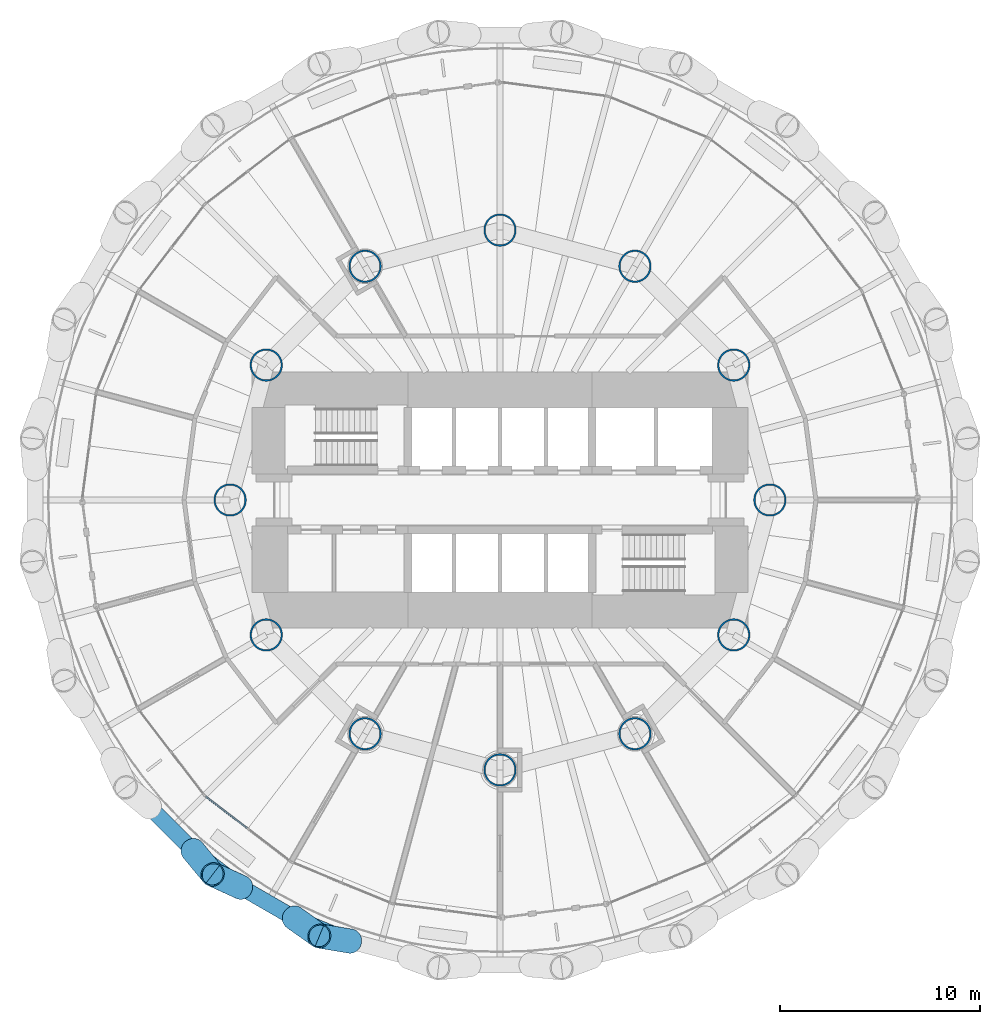
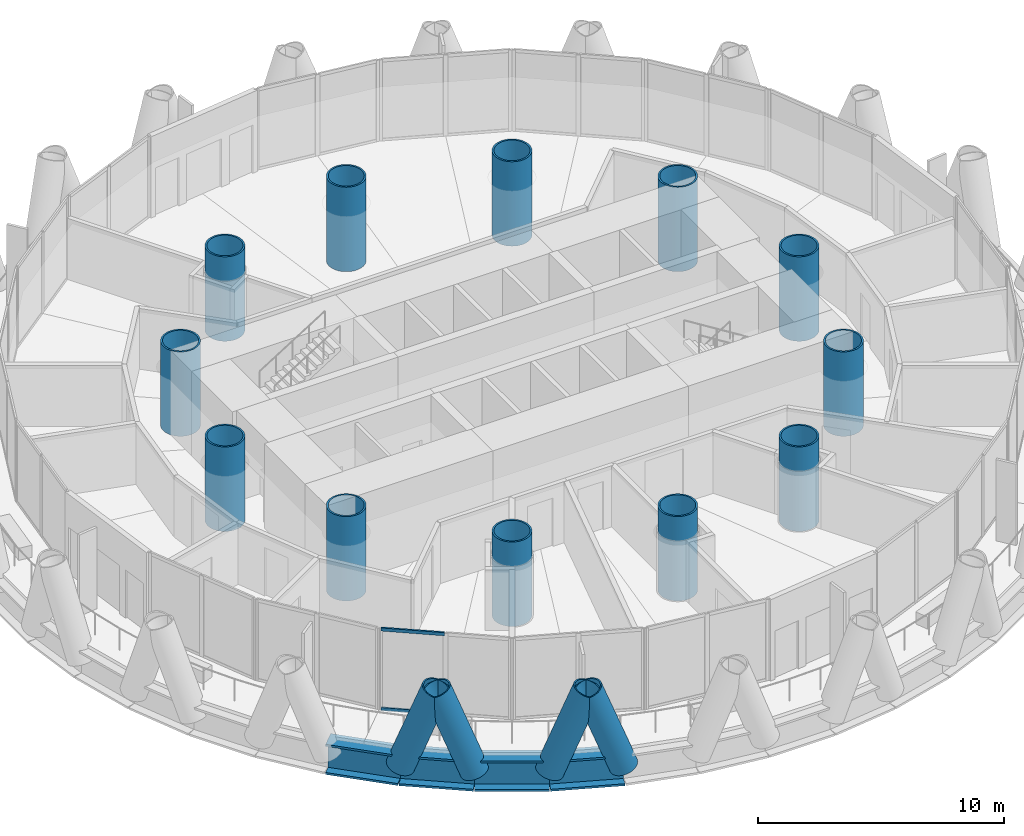
# One storey, part 1 of 15: 12 columns, 6 members, 4 beams, 1 element without a shape of its own.
"""IFC4 building model written with IfcOpenShell, lengths in metres."""

import ifcopenshell
import ifcopenshell.guid

model = None  # the IFC model being written
_history = None  # IfcOwnerHistory: only IFC2X3 demands one
_inside = {}  # id of a spatial element -> (the spatial element, [elements in it])
_under = {}  # id of a project, library or spatial element -> (it, [spatial elements below it])
_declared = {}  # id of a project -> (the project, [libraries it declares])
_typed = {}  # id of a type object -> (the type object, [elements of that type])
_made_of = {}  # id of a material, layer set ... -> (it, [elements and type objects made of it])


def new_model(schema):
    """Start an empty IFC model of exactly this schema.

    Asked for "IFC4X3", IfcOpenShell would pick the latest addendum, in which some entities
    have other attributes; the version numbers below select the first issue.
    IFC2X3 requires an IfcOwnerHistory on every rooted entity: one is made here for all.
    """
    global model, _history
    if schema == "IFC4X3":
        model = ifcopenshell.file(schema_version=(4, 3, 0, 0))
    else:
        model = ifcopenshell.file(schema=schema)
    _inside.clear()
    _under.clear()
    _declared.clear()
    _typed.clear()
    _made_of.clear()
    _history = None
    if model.schema == "IFC2X3":
        org = make("IfcOrganization", Name="unknown")
        user = make(
            "IfcPersonAndOrganization",
            ThePerson=make("IfcPerson", FamilyName="unknown"),
            TheOrganization=org,
        )
        app = make(
            "IfcApplication",
            ApplicationDeveloper=org,
            Version="unknown",
            ApplicationFullName="unknown",
            ApplicationIdentifier="unknown",
        )
        _history = make(
            "IfcOwnerHistory",
            OwningUser=user,
            OwningApplication=app,
            ChangeAction="ADDED",
            CreationDate=0,
        )
    return model


def make(cls, **values):
    """One entity of the class cls with the attributes given. An attribute that is None is left unset."""
    return model.create_entity(
        cls, **{name: value for name, value in values.items() if value is not None}
    )


def rooted(cls, **values):
    """An entity with a GlobalId (a new one), such as an element, a storey or a relation."""
    return make(cls, GlobalId=ifcopenshell.guid.new(), OwnerHistory=_history, **values)


def si_unit(unit_type, name, prefix=None):
    """IfcSIUnit, for example si_unit("LENGTHUNIT", "METRE", prefix="MILLI")."""
    return make("IfcSIUnit", UnitType=unit_type, Prefix=prefix, Name=name)


def assignment(units):
    """IfcUnitAssignment: the units of a project."""
    return None if units is None else make("IfcUnitAssignment", Units=units)


def point(xyz):
    """IfcCartesianPoint."""
    return None if xyz is None else make("IfcCartesianPoint", Coordinates=xyz)


def direction(xyz):
    """IfcDirection."""
    return None if xyz is None else make("IfcDirection", DirectionRatios=xyz)


def frame(location, z_axis=None, x_axis=None):
    """IfcAxis2Placement3D, a coordinate frame: its origin and axes. An axis left out is left unset."""
    return make(
        "IfcAxis2Placement3D",
        Location=point(location),
        Axis=direction(z_axis),
        RefDirection=direction(x_axis),
    )


def frame_2d(location, x_axis=None):
    """IfcAxis2Placement2D, a coordinate frame in the plane: its origin and x axis."""
    return make(
        "IfcAxis2Placement2D", Location=point(location), RefDirection=direction(x_axis)
    )


def origin():
    """The frame at (0, 0, 0) with its axes left unset."""
    return frame((0.0, 0.0, 0.0))


def origin_2d():
    """The frame at (0, 0) in the plane with its x axis left unset."""
    return frame_2d((0.0, 0.0))


def place(relative_to, where):
    """IfcLocalPlacement: puts the frame where relative to a parent placement (None: the world)."""
    return make(
        "IfcLocalPlacement", PlacementRelTo=relative_to, RelativePlacement=where
    )


def context(
    kind, dimensions, precision=None, world=None, true_north=None, identifier=None
):
    """IfcGeometricRepresentationContext, for example the 3D "Model" context."""
    return make(
        "IfcGeometricRepresentationContext",
        ContextIdentifier=identifier,
        ContextType=kind,
        CoordinateSpaceDimension=dimensions,
        Precision=precision,
        WorldCoordinateSystem=world,
        TrueNorth=true_north,
    )


def subcontext(parent, identifier, kind, view, scale=None):
    """IfcGeometricRepresentationSubContext, for example "Body" below "Model"."""
    return make(
        "IfcGeometricRepresentationSubContext",
        ContextIdentifier=identifier,
        ContextType=kind,
        ParentContext=parent,
        TargetScale=scale,
        TargetView=view,
    )


def project(units=None, contexts=None):
    """IfcProject with its units and contexts."""
    return rooted(
        "IfcProject",
        Name="project",
        RepresentationContexts=contexts,
        UnitsInContext=assignment(units),
    )


def spatial(cls, under=None, at=None, **own):
    """A site, building, storey or space (cls), placed at a placement, below another one or the project."""
    s = rooted(cls, ObjectPlacement=at, **own)
    if under is not None:
        _under.setdefault(under.id(), (under, []))[1].append(s)
    return s


def profile(cls, at=None, kind="AREA", **sizes):
    """A parametric profile (cls). Its sizes go by their IFC names, for example OverallWidth=200.0."""
    return make(cls, ProfileType=kind, Position=at, **sizes)


def rectangle(**sizes):
    """IfcRectangleProfileDef."""
    return profile("IfcRectangleProfileDef", **sizes)


def hollow_circle(**sizes):
    """IfcCircleHollowProfileDef."""
    return profile("IfcCircleHollowProfileDef", **sizes)


def i_section(**sizes):
    """IfcIShapeProfileDef."""
    return profile("IfcIShapeProfileDef", **sizes)


def extrude(swept, where, along, depth):
    """IfcExtrudedAreaSolid: the profile swept, set in the frame where, extruded along a direction by depth."""
    return make(
        "IfcExtrudedAreaSolid",
        SweptArea=swept,
        Position=where,
        ExtrudedDirection=direction(along),
        Depth=depth,
    )


def shape(context_of_items, identifier, shape_type, items):
    """IfcShapeRepresentation: the items that make up one representation, for example the "Body"."""
    return make(
        "IfcShapeRepresentation",
        ContextOfItems=context_of_items,
        RepresentationIdentifier=identifier,
        RepresentationType=shape_type,
        Items=items,
    )


def material(Name=None, Category=None):
    """IfcMaterial."""
    return make("IfcMaterial", Name=Name, Category=Category)


def material_profile(
    of_material, cross_section, Name=None, Category=None, Priority=None
):
    """IfcMaterialProfile: a cross section and its material."""
    return make(
        "IfcMaterialProfile",
        Name=Name,
        Material=of_material,
        Profile=cross_section,
        Priority=Priority,
        Category=Category,
    )


def profile_set(profiles, Name=None, composite=None):
    """IfcMaterialProfileSet."""
    return make(
        "IfcMaterialProfileSet",
        Name=Name,
        MaterialProfiles=profiles,
        CompositeProfile=composite,
    )


def made_of(thing, what):
    """Note that an element or type object is made of a material, layer set ...; save() writes the relation."""
    if what is not None:
        _made_of.setdefault(what.id(), (what, []))[1].append(thing)
    return thing


def type_object(cls, material=None, **own):
    """A type object (cls), such as IfcWallType, which elements share."""
    return made_of(rooted(cls, **own), material)


def element(
    cls,
    number,
    at=None,
    inside=None,
    cuts=None,
    type_object=None,
    material=None,
    context=None,
    identifier="Body",
    shape_type=None,
    held_by="IfcProductDefinitionShape",
    body=None,
    shapes=None,
    **own,
):
    """One element of the class cls, such as IfcWall. Its Tag is "e" and its number.

    at: its placement. inside: the storey or other place that contains it. cuts: it is an
    opening in that element (IfcRelVoidsElement). A single representation is given by context,
    identifier, shape_type and body (its items); several are given by shapes. held_by: the class
    of the entity that holds the representations. save() writes the other relations.
    """
    e = rooted(cls, Tag="e%d" % number, ObjectPlacement=at, **own)
    if body is not None:
        shapes = [shape(context, identifier, shape_type, body)]
    if shapes is not None:
        e.Representation = make(held_by, Representations=shapes)
    if inside is not None:
        _inside.setdefault(inside.id(), (inside, []))[1].append(e)
    if cuts is not None:
        rooted(
            "IfcRelVoidsElement", RelatingBuildingElement=cuts, RelatedOpeningElement=e
        )
    if type_object is not None:
        _typed.setdefault(type_object.id(), (type_object, []))[1].append(e)
    return made_of(e, material)


def aggregate(whole, parts):
    """IfcRelAggregates: a whole, such as a stair, and the parts it consists of."""
    return rooted("IfcRelAggregates", RelatingObject=whole, RelatedObjects=parts)


def save(model, path):
    """Write the relations noted so far, then the file.

    IfcRelAggregates (storeys below a building ...), IfcRelContainedInSpatialStructure (elements
    in a storey), IfcRelDefinesByType, IfcRelAssociatesMaterial and IfcRelDeclares: one each for
    every whole, place, type object, material and project.
    """
    for whole, parts in _under.values():
        aggregate(whole, parts)
    for where, things in _inside.values():
        rooted(
            "IfcRelContainedInSpatialStructure",
            RelatedElements=things,
            RelatingStructure=where,
        )
    for kind, things in _typed.values():
        rooted("IfcRelDefinesByType", RelatedObjects=things, RelatingType=kind)
    for what, things in _made_of.values():
        rooted("IfcRelAssociatesMaterial", RelatedObjects=things, RelatingMaterial=what)
    for by, libraries in _declared.values():
        rooted("IfcRelDeclares", RelatingContext=by, RelatedDefinitions=libraries)
    model.write(path)


model = new_model("IFC4")

# Units and contexts
model_context = context("Model", 3, precision=1e-05, world=origin(), true_north=direction((0.0, 1.0)))
body_context = subcontext(model_context, "Body", "Model", "MODEL_VIEW")
ifc_project = project(units=[si_unit("LENGTHUNIT", "METRE"), si_unit("AREAUNIT", "SQUARE_METRE"), si_unit("VOLUMEUNIT", "CUBIC_METRE"), si_unit("PLANEANGLEUNIT", "RADIAN"), si_unit("MASSUNIT", "GRAM", prefix="KILO")], contexts=[model_context])

# Site, building, storey
site_placement = place(None, origin())
site = spatial("IfcSite", under=ifc_project, at=site_placement, CompositionType="ELEMENT")
building_placement = place(site_placement, origin())
building = spatial("IfcBuilding", under=site, at=building_placement, Name="Qaws Media Tower", CompositionType="ELEMENT")
storey_placement = place(building_placement, frame((0.0, 0.0, 30.199951171875)))
storey = spatial("IfcBuildingStorey", under=building, at=storey_placement, Name="L05", CompositionType="ELEMENT", Elevation=30.199951171875)

# Columns
ifc_material_1 = material(Name="Steel S460", Category="steel")
ifc_material_profile_1 = material_profile(ifc_material_1, hollow_circle(Radius=0.81298828125, WallThickness=0.080078125, at=origin_2d()), Name="CHS 1626x80")
ifc_profile_set_1 = profile_set([ifc_material_profile_1], Name="Steel S460")
column_type = type_object("IfcColumnType", Name="Inner column CHS 1626x80", PredefinedType="COLUMN", material=ifc_profile_set_1)
for number, where, z_axis, x_axis, name in (
    (1, (73.5, 50.0, 0.0), (0.0, 0.0, 1.0), (1.0, 0.0, 0.0), "C6 inner column I01 L05"),
    (2, (71.69140625, 56.75, 0.0), (0.0, 0.0, 1.0), (1.0, 0.0, 0.0), "C6 inner column I02 L05"),
    (3, (66.75, 61.69140625, 0.0), (0.0, 0.0, 1.0), (1.0, 0.0, 0.0), "C6 inner column I03 L05"),
    (4, (60.0, 63.5, 0.0), (0.0, 0.0, 1.0), (1.0, 0.0, 0.0), "C6 inner column I04 L05"),
    (5, (53.25, 61.69140625, 0.0), (0.0, 0.0, 1.0), (1.0, 0.0, 0.0), "C6 inner column I05 L05"),
    (6, (48.30859375, 56.75, 0.0), (0.0, 0.0, 1.0), (1.0, 0.0, 0.0), "C6 inner column I06 L05"),
    (7, (46.5, 50.0, 0.0), (0.0, 0.0, 1.0), (1.0, 0.0, 0.0), "C6 inner column I07 L05"),
    (8, (48.30859375, 43.25, 0.0), (0.0, 0.0, 1.0), (1.0, 0.0, 0.0), "C6 inner column I08 L05"),
    (9, (53.25, 38.30859375, 0.0), (0.0, 0.0, 1.0), (1.0, 0.0, 0.0), "C6 inner column I09 L05"),
    (10, (60.0, 36.5, 0.0), (0.0, 0.0, 1.0), (1.0, 0.0, 0.0), "C6 inner column I10 L05"),
    (11, (66.75, 38.30859375, 0.0), (0.0, 0.0, 1.0), (1.0, 0.0, 0.0), "C6 inner column I11 L05"),
    (12, (71.69140625, 43.25, 0.0), (0.0, 0.0, 1.0), (1.0, 0.0, 0.0), "C6 inner column I12 L05"),
):
    element("IfcColumn", number, at=place(storey_placement, frame(where, z_axis=z_axis, x_axis=x_axis)), inside=storey, type_object=column_type, Name=name, PredefinedType="COLUMN", context=body_context, shape_type="SweptSolid", body=[
        extrude(hollow_circle(Radius=0.81298828125, WallThickness=0.080078125, at=origin_2d()), origin(), (0.0, 0.0, 1.0), 4.199951171875),
    ])

# Curtain wall, members
ifc_material_2 = material(Name="Aluminium and clear glass", Category="aluminium")
curtain_wall_type = type_object("IfcCurtainWallType", Name="Unitised curtain wall CW-A", PredefinedType="NOTDEFINED", material=ifc_material_2)
curtain_wall_placement = place(storey_placement, origin())
curtain_wall = element("IfcCurtainWall", 13, at=curtain_wall_placement, inside=storey, type_object=curtain_wall_type, Name="CWA curtain wall L05-16", PredefinedType="NOTDEFINED")
ifc_material_3 = material(Name="Aluminium transom", Category="aluminium")
ifc_material_profile_2 = material_profile(ifc_material_3, rectangle(XDim=0.080078125, YDim=0.159912109375, at=origin_2d()), Name="80x160")
ifc_profile_set_2 = profile_set([ifc_material_profile_2], Name="Aluminium transom")
member_type_1 = type_object("IfcMemberType", Name="Curtain wall transom 80x160", PredefinedType="USERDEFINED", material=ifc_profile_set_2)
member_1_placement = place(storey_placement, frame((45.284912109375, 35.1728515625, 0.0400390625), z_axis=(0.793357690605, -0.608755759528, 0.0), x_axis=(0.608755759528, 0.793357690605, 0.0)))
member_1 = element("IfcMember", 14, at=member_1_placement, type_object=member_type_1, Name="CWA transom 1.1", ObjectType="TRANSOM", PredefinedType="USERDEFINED", context=body_context, shape_type="SweptSolid", body=[
    extrude(rectangle(XDim=0.080078125, YDim=0.159912109375, at=origin_2d()), origin(), (0.0, 0.0, 1.0), 2.60791015625),
])
member_2_placement = place(storey_placement, frame((45.284912109375, 35.1728515625, 4.0), z_axis=(0.793357690605, -0.608755759528, 0.0), x_axis=(0.608755759528, 0.793357690605, 0.0)))
member_2 = element("IfcMember", 15, at=member_2_placement, type_object=member_type_1, Name="CWA transom 1.2", ObjectType="TRANSOM", PredefinedType="USERDEFINED", context=body_context, shape_type="SweptSolid", body=[
    extrude(rectangle(XDim=0.080078125, YDim=0.159912109375, at=origin_2d()), origin(), (0.0, 0.0, 1.0), 2.60791015625),
])
aggregate(curtain_wall, [member_1, member_2])

# Members
ifc_material_4 = material(Name="Steel S460", Category="steel")
ifc_material_profile_3 = material_profile(ifc_material_4, hollow_circle(Radius=0.609619140625, WallThickness=0.06005859375, at=origin_2d()), Name="CHS 1219x60")
ifc_profile_set_3 = profile_set([ifc_material_profile_3], Name="Steel S460")
member_type_2 = type_object("IfcMemberType", Name="Diagrid member CHS 1219x60", PredefinedType="USERDEFINED", material=ifc_profile_set_3)
member_3_placement = place(storey_placement, frame((44.63720703125, 32.482177734375, -0.909912109375), z_axis=(0.222263773109, -0.268950060745, 0.937157766861), x_axis=(0.770838408079, 0.637030728168, 0.0)))
element("IfcMember", 16, at=member_3_placement, inside=storey, type_object=member_type_2, Name="DG1 diagrid L05 A16", ObjectType="DIAGRID", PredefinedType="USERDEFINED", context=body_context, shape_type="SweptSolid", body=[
    extrude(hollow_circle(Radius=0.609619140625, WallThickness=0.06005859375, at=origin_2d()), origin(), (0.0, 0.0, 1.0), 4.481689453125),
])
for number, where, z_axis, x_axis, name in (
    (17, (49.694580078125, 29.102783203125, -0.909912109375), (0.284313871152, -0.202217491802, 0.93716258391), (0.579597527467, 0.814902881425, 0.0), "DG1 diagrid L05 A17"),
    (18, (47.05517578125, 30.626708984375, -0.909912109375), (-0.317275265863, 0.145072807863, 0.937171428337), (-0.41583725569, -0.909439045115, 0.0), "DG1 diagrid L05 B17"),
    (19, (52.510498046875, 27.9365234375, -0.909912109375), (-0.34402209257, 0.058017977607, 0.937167388516), (-0.166297781756, -0.986075579143, 0.0), "DG1 diagrid L05 B18"),
):
    element("IfcMember", number, at=place(storey_placement, frame(where, z_axis=z_axis, x_axis=x_axis)), inside=storey, type_object=member_type_2, Name=name, ObjectType="DIAGRID", PredefinedType="USERDEFINED", context=body_context, shape_type="SweptSolid", body=[
        extrude(hollow_circle(Radius=0.609619140625, WallThickness=0.06005859375, at=origin_2d()), origin(), (0.0, 0.0, 1.0), 4.4814453125),
    ])

# Beams
ifc_material_5 = material(Name="Steel S460", Category="steel")
ifc_material_profile_4 = material_profile(ifc_material_5, i_section(OverallWidth=0.800048828125, OverallDepth=1.5, WebThickness=0.0400390625, FlangeThickness=0.10009765625, at=origin_2d()), Name="PG 1500x800")
ifc_profile_set_4 = profile_set([ifc_material_profile_4], Name="Steel S460")
beam_type = type_object("IfcBeamType", Name="Edge ring beam PG 1500x800", PredefinedType="BEAM", material=ifc_profile_set_4)
beam_placement = place(storey_placement, frame((42.482177734375, 34.63720703125, -0.909912109375), z_axis=(0.707106781187, -0.707106781187, 0.0), x_axis=(0.707106781187, 0.707106781187, 0.0)))
element("IfcBeam", 20, at=beam_placement, inside=storey, type_object=beam_type, Name="RB7 edge ring beam L05-30", PredefinedType="BEAM", context=body_context, shape_type="SweptSolid", body=[
    extrude(i_section(OverallWidth=0.800048828125, OverallDepth=1.5, WebThickness=0.0400390625, FlangeThickness=0.10009765625, at=origin_2d()), origin(), (0.0, 0.0, 1.0), 3.047607421875),
])
for number, where, z_axis, x_axis, name in (
    (21, (44.63720703125, 32.482177734375, -0.909912109375), (0.793338116406, -0.608781268648, 0.0), (0.608781268648, 0.793338116406, 0.0), "RB7 edge ring beam L05-31"),
    (22, (47.05517578125, 30.626708984375, -0.909912109375), (0.866016168704, -0.500015995287, 0.0), (0.500015995287, 0.866016168704, 0.0), "RB7 edge ring beam L05-32"),
    (23, (49.694580078125, 29.102783203125, -0.909912109375), (0.923894802877, -0.382646564361, 0.0), (0.382646564361, 0.923894802877, 0.0), "RB7 edge ring beam L05-33"),
):
    element("IfcBeam", number, at=place(storey_placement, frame(where, z_axis=z_axis, x_axis=x_axis)), inside=storey, type_object=beam_type, Name=name, PredefinedType="BEAM", context=body_context, shape_type="SweptSolid", body=[
        extrude(i_section(OverallWidth=0.800048828125, OverallDepth=1.5, WebThickness=0.0400390625, FlangeThickness=0.10009765625, at=origin_2d()), origin(), (0.0, 0.0, 1.0), 3.0478515625),
    ])

save(model, "model.ifc")
